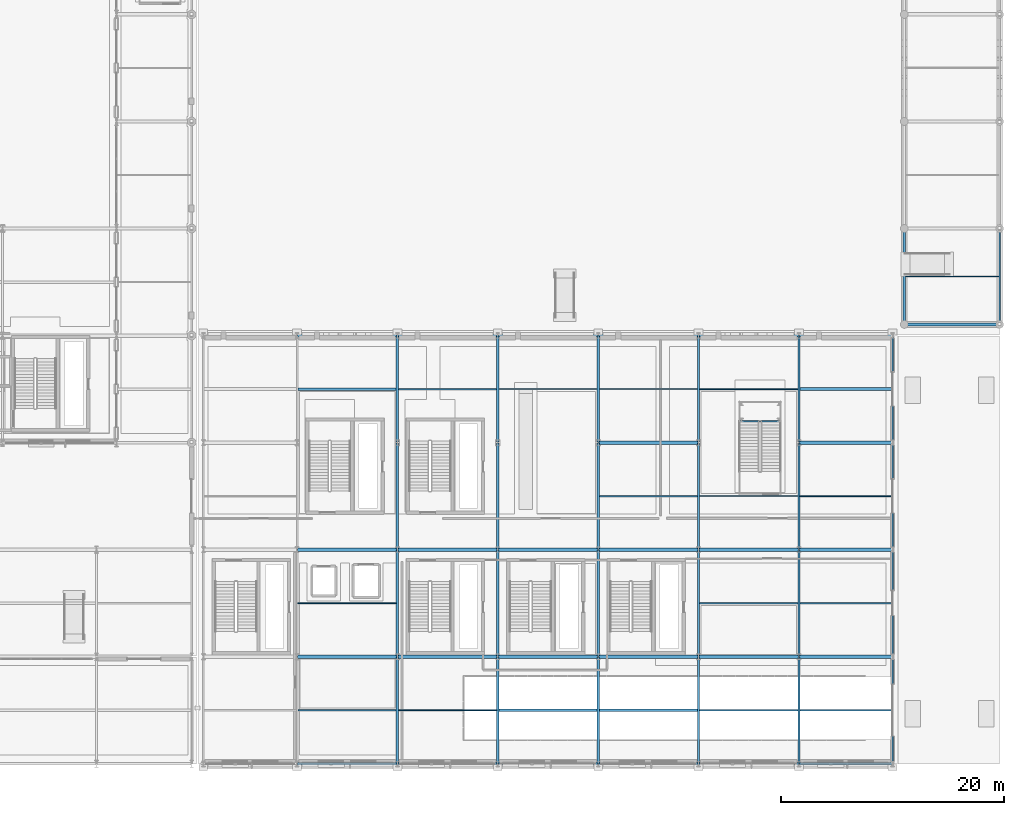
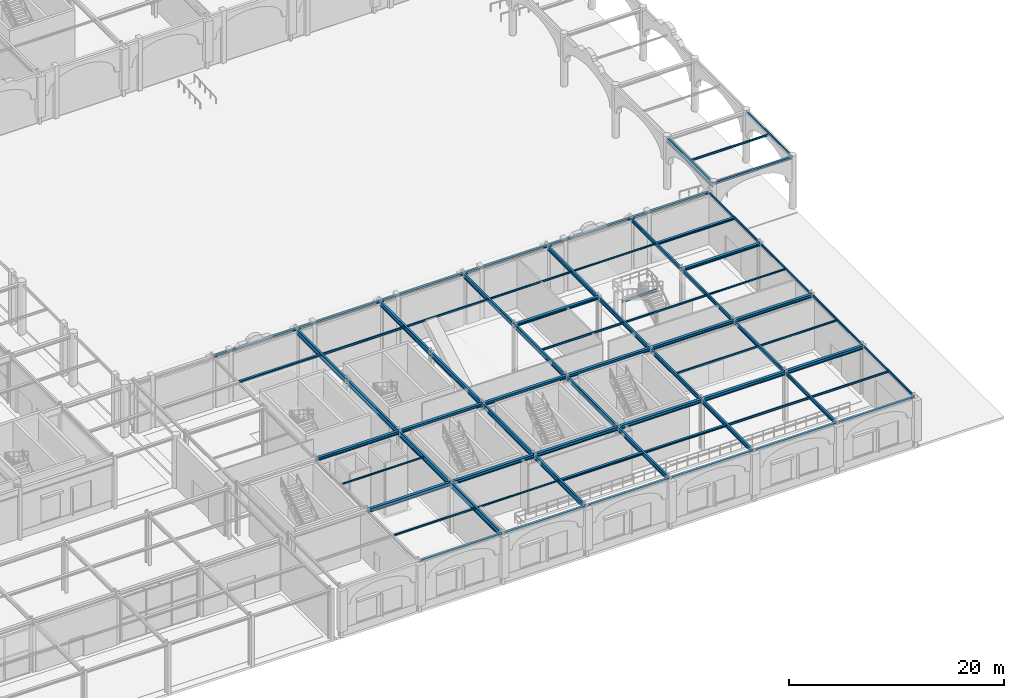
# One storey, part 45 of 113: 73 beams.
"""IFC4 building model written with IfcOpenShell, lengths in metres."""

from ifc_helpers import new_model, si_unit, direction, frame, origin, origin_2d, place, context, subcontext, project, spatial, hollow_rectangle, i_section, extrude, material, material_profile, profile_set, type_object, element, save


model = new_model("IFC4")

# Units and contexts
model_context = context("Model", 3, precision=1e-05, world=origin(), true_north=direction((0.0, 1.0)))
body_context = subcontext(model_context, "Body", "Model", "MODEL_VIEW")
ifc_project = project(units=[si_unit("LENGTHUNIT", "METRE"), si_unit("AREAUNIT", "SQUARE_METRE"), si_unit("VOLUMEUNIT", "CUBIC_METRE"), si_unit("PLANEANGLEUNIT", "RADIAN"), si_unit("MASSUNIT", "GRAM", prefix="KILO")], contexts=[model_context])

# Site, building, storey
site_placement = place(None, origin())
site = spatial("IfcSite", under=ifc_project, at=site_placement, CompositionType="ELEMENT")
building_placement = place(site_placement, origin())
building = spatial("IfcBuilding", under=site, at=building_placement, Name="Myrtia Square Station", CompositionType="ELEMENT")
storey_placement = place(building_placement, origin())
storey = spatial("IfcBuildingStorey", under=building, at=storey_placement, Name="L00", CompositionType="ELEMENT", Elevation=0.0)

# Beams
ifc_material = material(Name="Steel S355", Category="steel")
ifc_material_profile_1 = material_profile(ifc_material, i_section(OverallWidth=0.300048828125, OverallDepth=0.300048828125, WebThickness=0.010986328125, FlangeThickness=0.01904296875, FilletRadius=0.027099609375, at=origin_2d()), Name="HEB 300")
ifc_profile_set_1 = profile_set([ifc_material_profile_1], Name="Steel S355")
beam_type_1 = type_object("IfcBeamType", Name="BM-HEB300", PredefinedType="BEAM", material=ifc_profile_set_1)
beam_1_placement = place(storey_placement, frame((153.050048828125, 28.800048828125, 5.60009765625), z_axis=(1.0, 0.0, 0.0), x_axis=(0.0, 1.0, 0.0)))
element("IfcBeam", 1, at=beam_1_placement, inside=storey, type_object=beam_type_1, Name="Structural girder BMX-L00-0352", PredefinedType="BEAM", context=body_context, shape_type="SweptSolid", body=[
    extrude(i_section(OverallWidth=0.300048828125, OverallDepth=0.300048828125, WebThickness=0.010986328125, FlangeThickness=0.01904296875, FilletRadius=0.027099609375, at=origin_2d()), origin(), (0.0, 0.0, 1.0), 8.89990234375),
])
beam_2_placement = place(storey_placement, frame((171.050048828125, 28.800048828125, 5.60009765625), z_axis=(1.0, 0.0, 0.0), x_axis=(0.0, 1.0, 0.0)))
element("IfcBeam", 2, at=beam_2_placement, inside=storey, type_object=beam_type_1, Name="Structural girder BMX-L00-0353", PredefinedType="BEAM", context=body_context, shape_type="SweptSolid", body=[
    extrude(i_section(OverallWidth=0.300048828125, OverallDepth=0.300048828125, WebThickness=0.010986328125, FlangeThickness=0.01904296875, FilletRadius=0.027099609375, at=origin_2d()), origin(), (0.0, 0.0, 1.0), 8.300048828125),
])
ifc_material_profile_2 = material_profile(ifc_material, i_section(OverallWidth=0.300048828125, OverallDepth=0.360107421875, WebThickness=0.012451171875, FlangeThickness=0.0224609375, FilletRadius=0.027099609375, at=origin_2d()), Name="HEB 360")
ifc_profile_set_2 = profile_set([ifc_material_profile_2], Name="Steel S355")
beam_type_2 = type_object("IfcBeamType", Name="BM-HEB360", PredefinedType="BEAM", material=ifc_profile_set_2)
for number, where, z_axis, x_axis, name in (
    (3, (126.050048828125, 19.199951171875, 5.570068359375), (1.0, 0.0, 0.0), (0.0, 1.0, 0.0), "Structural girder BMX-L00-0345"),
    (4, (135.050048828125, 19.199951171875, 5.570068359375), (1.0, 0.0, 0.0), (0.0, 1.0, 0.0), "Structural girder BMX-L00-0346"),
    (5, (144.050048828125, 19.199951171875, 5.570068359375), (1.0, 0.0, 0.0), (0.0, 1.0, 0.0), "Structural girder BMX-L00-0347"),
    (6, (153.050048828125, 19.199951171875, 5.570068359375), (1.0, 0.0, 0.0), (0.0, 1.0, 0.0), "Structural girder BMX-L00-0348"),
    (7, (162.050048828125, 19.199951171875, 5.570068359375), (1.0, 0.0, 0.0), (0.0, 1.0, 0.0), "Structural girder BMX-L00-0349"),
):
    element("IfcBeam", number, at=place(storey_placement, frame(where, z_axis=z_axis, x_axis=x_axis)), inside=storey, type_object=beam_type_2, Name=name, PredefinedType="BEAM", context=body_context, shape_type="SweptSolid", body=[
        extrude(i_section(OverallWidth=0.300048828125, OverallDepth=0.360107421875, WebThickness=0.012451171875, FlangeThickness=0.0224609375, FilletRadius=0.027099609375, at=origin_2d()), origin(), (0.0, 0.0, 1.0), 8.89990234375),
    ])
beam_3_placement = place(storey_placement, frame((171.050048828125, 19.199951171875, 5.570068359375), z_axis=(1.0, 0.0, 0.0), x_axis=(0.0, 1.0, 0.0)))
element("IfcBeam", 8, at=beam_3_placement, inside=storey, type_object=beam_type_2, Name="Structural girder BMX-L00-0350", PredefinedType="BEAM", context=body_context, shape_type="SweptSolid", body=[
    extrude(i_section(OverallWidth=0.300048828125, OverallDepth=0.360107421875, WebThickness=0.012451171875, FlangeThickness=0.0224609375, FilletRadius=0.027099609375, at=origin_2d()), origin(), (0.0, 0.0, 1.0), 8.300048828125),
])
ifc_material_profile_3 = material_profile(ifc_material, i_section(OverallWidth=0.300048828125, OverallDepth=0.39990234375, WebThickness=0.013427734375, FlangeThickness=0.02392578125, FilletRadius=0.027099609375, at=origin_2d()), Name="HEB 400")
ifc_profile_set_3 = profile_set([ifc_material_profile_3], Name="Steel S355")
beam_type_3 = type_object("IfcBeamType", Name="BM-HEB400", PredefinedType="BEAM", material=ifc_profile_set_3)
for number, where, z_axis, x_axis, name in (
    (9, (126.050048828125, 9.60009765625, 5.550048828125), (1.0, 0.0, 0.0), (0.0, 1.0, 0.0), "Structural girder BMX-L00-0333"),
    (10, (135.050048828125, 9.60009765625, 5.550048828125), (1.0, 0.0, 0.0), (0.0, 1.0, 0.0), "Structural girder BMX-L00-0334"),
    (11, (144.050048828125, 9.60009765625, 5.550048828125), (1.0, 0.0, 0.0), (0.0, 1.0, 0.0), "Structural girder BMX-L00-0335"),
    (12, (153.050048828125, 9.60009765625, 5.550048828125), (1.0, 0.0, 0.0), (0.0, 1.0, 0.0), "Structural girder BMX-L00-0336"),
    (13, (162.050048828125, 9.60009765625, 5.550048828125), (1.0, 0.0, 0.0), (0.0, 1.0, 0.0), "Structural girder BMX-L00-0337"),
):
    element("IfcBeam", number, at=place(storey_placement, frame(where, z_axis=z_axis, x_axis=x_axis)), inside=storey, type_object=beam_type_3, Name=name, PredefinedType="BEAM", context=body_context, shape_type="SweptSolid", body=[
        extrude(i_section(OverallWidth=0.300048828125, OverallDepth=0.39990234375, WebThickness=0.013427734375, FlangeThickness=0.02392578125, FilletRadius=0.027099609375, at=origin_2d()), origin(), (0.0, 0.0, 1.0), 8.89990234375),
    ])
beam_4_placement = place(storey_placement, frame((171.050048828125, 9.60009765625, 5.550048828125), z_axis=(1.0, 0.0, 0.0), x_axis=(0.0, 1.0, 0.0)))
element("IfcBeam", 14, at=beam_4_placement, inside=storey, type_object=beam_type_3, Name="Structural girder BMX-L00-0338", PredefinedType="BEAM", context=body_context, shape_type="SweptSolid", body=[
    extrude(i_section(OverallWidth=0.300048828125, OverallDepth=0.39990234375, WebThickness=0.013427734375, FlangeThickness=0.02392578125, FilletRadius=0.027099609375, at=origin_2d()), origin(), (0.0, 0.0, 1.0), 8.300048828125),
])
ifc_material_profile_4 = material_profile(ifc_material, i_section(OverallWidth=0.135009765625, OverallDepth=0.27001953125, WebThickness=0.006591796875, FlangeThickness=0.01025390625, FilletRadius=0.014892578125, at=origin_2d()), Name="IPE 270")
ifc_profile_set_4 = profile_set([ifc_material_profile_4], Name="Steel S355")
beam_type_4 = type_object("IfcBeamType", Name="BM-IPE270", PredefinedType="BEAM", material=ifc_profile_set_4)
beam_5_placement = place(storey_placement, frame((165.639892578125, 30.739990234375, 2.6650390625), z_axis=(1.0, 0.0, 0.0), x_axis=(0.0, 1.0, 0.0)))
element("IfcBeam", 15, at=beam_5_placement, inside=storey, type_object=beam_type_4, Name="Interchange stair landing bearer 7", PredefinedType="BEAM", context=body_context, shape_type="SweptSolid", body=[
    extrude(i_section(OverallWidth=0.135009765625, OverallDepth=0.27001953125, WebThickness=0.006591796875, FlangeThickness=0.01025390625, FilletRadius=0.014892578125, at=origin_2d()), origin(), (0.0, 0.0, 1.0), 3.760009765625),
])
ifc_material_profile_5 = material_profile(ifc_material, i_section(OverallWidth=0.179931640625, OverallDepth=0.39990234375, WebThickness=0.008544921875, FlangeThickness=0.013427734375, FilletRadius=0.02099609375, at=origin_2d()), Name="IPE 400")
ifc_profile_set_5 = profile_set([ifc_material_profile_5], Name="Steel S355")
beam_type_5 = type_object("IfcBeamType", Name="BM-IPE400", PredefinedType="BEAM", material=ifc_profile_set_5)
for number, where, z_axis, x_axis, name in (
    (16, (171.0, 0.050048828125, 5.550048828125), (0.0, 1.0, 0.0), (-1.0, 0.0, 0.0), "Structural girder BMY-L00-0390"),
    (17, (171.0, 9.64990234375, 5.550048828125), (0.0, 1.0, 0.0), (-1.0, 0.0, 0.0), "Structural girder BMY-L00-0391"),
    (18, (171.0, 19.25, 5.550048828125), (0.0, 1.0, 0.0), (-1.0, 0.0, 0.0), "Structural girder BMY-L00-0392"),
    (19, (171.0, 28.85009765625, 5.550048828125), (0.0, 1.0, 0.0), (-1.0, 0.0, 0.0), "Structural girder BMY-L00-0393"),
):
    element("IfcBeam", number, at=place(storey_placement, frame(where, z_axis=z_axis, x_axis=x_axis)), inside=storey, type_object=beam_type_5, Name=name, PredefinedType="BEAM", context=body_context, shape_type="SweptSolid", body=[
        extrude(i_section(OverallWidth=0.179931640625, OverallDepth=0.39990234375, WebThickness=0.008544921875, FlangeThickness=0.013427734375, FilletRadius=0.02099609375, at=origin_2d()), origin(), (0.0, 0.0, 1.0), 9.5),
    ])
ifc_material_profile_6 = material_profile(ifc_material, i_section(OverallWidth=0.18994140625, OverallDepth=0.449951171875, WebThickness=0.009521484375, FlangeThickness=0.0146484375, FilletRadius=0.02099609375, at=origin_2d()), Name="IPE 450")
ifc_profile_set_6 = profile_set([ifc_material_profile_6], Name="Steel S355")
beam_type_6 = type_object("IfcBeamType", Name="BM-IPE450", PredefinedType="BEAM", material=ifc_profile_set_6)
for number, where, z_axis, x_axis, name in (
    (20, (162.0, 0.050048828125, 5.52490234375), (0.0, 1.0, 0.0), (-1.0, 0.0, 0.0), "Structural girder BMY-L00-0386"),
    (21, (162.0, 9.64990234375, 5.52490234375), (0.0, 1.0, 0.0), (-1.0, 0.0, 0.0), "Structural girder BMY-L00-0387"),
    (22, (162.0, 19.25, 5.52490234375), (0.0, 1.0, 0.0), (-1.0, 0.0, 0.0), "Structural girder BMY-L00-0388"),
    (23, (162.0, 28.85009765625, 5.52490234375), (0.0, 1.0, 0.0), (-1.0, 0.0, 0.0), "Structural girder BMY-L00-0389"),
):
    element("IfcBeam", number, at=place(storey_placement, frame(where, z_axis=z_axis, x_axis=x_axis)), inside=storey, type_object=beam_type_6, Name=name, PredefinedType="BEAM", context=body_context, shape_type="SweptSolid", body=[
        extrude(i_section(OverallWidth=0.18994140625, OverallDepth=0.449951171875, WebThickness=0.009521484375, FlangeThickness=0.0146484375, FilletRadius=0.02099609375, at=origin_2d()), origin(), (0.0, 0.0, 1.0), 9.5),
    ])
ifc_material_profile_7 = material_profile(ifc_material, i_section(OverallWidth=0.199951171875, OverallDepth=0.5, WebThickness=0.01025390625, FlangeThickness=0.01611328125, FilletRadius=0.02099609375, at=origin_2d()), Name="IPE 500")
ifc_profile_set_7 = profile_set([ifc_material_profile_7], Name="Steel S355")
beam_type_7 = type_object("IfcBeamType", Name="BM-IPE500", PredefinedType="BEAM", material=ifc_profile_set_7)
for number, where, z_axis, x_axis, name in (
    (24, (153.0, 0.050048828125, 5.5), (0.0, 1.0, 0.0), (-1.0, 0.0, 0.0), "Structural girder BMY-L00-0382"),
    (25, (153.0, 9.64990234375, 5.5), (0.0, 1.0, 0.0), (-1.0, 0.0, 0.0), "Structural girder BMY-L00-0383"),
    (26, (153.0, 19.25, 5.5), (0.0, 1.0, 0.0), (-1.0, 0.0, 0.0), "Structural girder BMY-L00-0384"),
    (27, (153.0, 28.85009765625, 5.5), (0.0, 1.0, 0.0), (-1.0, 0.0, 0.0), "Structural girder BMY-L00-0385"),
):
    element("IfcBeam", number, at=place(storey_placement, frame(where, z_axis=z_axis, x_axis=x_axis)), inside=storey, type_object=beam_type_7, Name=name, PredefinedType="BEAM", context=body_context, shape_type="SweptSolid", body=[
        extrude(i_section(OverallWidth=0.199951171875, OverallDepth=0.5, WebThickness=0.01025390625, FlangeThickness=0.01611328125, FilletRadius=0.02099609375, at=origin_2d()), origin(), (0.0, 0.0, 1.0), 9.5),
    ])
ifc_material_profile_8 = material_profile(ifc_material, i_section(OverallWidth=0.2099609375, OverallDepth=0.550048828125, WebThickness=0.010986328125, FlangeThickness=0.01708984375, FilletRadius=0.02392578125, at=origin_2d()), Name="IPE 550")
ifc_profile_set_8 = profile_set([ifc_material_profile_8], Name="Steel S355")
beam_type_8 = type_object("IfcBeamType", Name="BM-IPE550", PredefinedType="BEAM", material=ifc_profile_set_8)
beam_6_placement = place(storey_placement, frame((180.449951171875, 39.449951171875, 5.489990234375), z_axis=(0.0, 1.0, 0.0), x_axis=(-1.0, 0.0, 0.0)))
element("IfcBeam", 28, at=beam_6_placement, inside=storey, type_object=beam_type_8, Name="Structural girder BMY-L00-0322", PredefinedType="BEAM", context=body_context, shape_type="SweptSolid", body=[
    extrude(i_section(OverallWidth=0.2099609375, OverallDepth=0.550048828125, WebThickness=0.010986328125, FlangeThickness=0.01708984375, FilletRadius=0.02392578125, at=origin_2d()), origin(), (0.0, 0.0, 1.0), 8.5),
])
for number, where, z_axis, x_axis, name in (
    (29, (144.0, 0.050048828125, 5.47509765625), (0.0, 1.0, 0.0), (-1.0, 0.0, 0.0), "Structural girder BMY-L00-0378"),
    (30, (144.0, 9.64990234375, 5.47509765625), (0.0, 1.0, 0.0), (-1.0, 0.0, 0.0), "Structural girder BMY-L00-0379"),
    (31, (144.0, 19.25, 5.47509765625), (0.0, 1.0, 0.0), (-1.0, 0.0, 0.0), "Structural girder BMY-L00-0380"),
    (32, (144.0, 28.85009765625, 5.47509765625), (0.0, 1.0, 0.0), (-1.0, 0.0, 0.0), "Structural girder BMY-L00-0381"),
):
    element("IfcBeam", number, at=place(storey_placement, frame(where, z_axis=z_axis, x_axis=x_axis)), inside=storey, type_object=beam_type_8, Name=name, PredefinedType="BEAM", context=body_context, shape_type="SweptSolid", body=[
        extrude(i_section(OverallWidth=0.2099609375, OverallDepth=0.550048828125, WebThickness=0.010986328125, FlangeThickness=0.01708984375, FilletRadius=0.02392578125, at=origin_2d()), origin(), (0.0, 0.0, 1.0), 9.5),
    ])
ifc_material_profile_9 = material_profile(ifc_material, i_section(OverallWidth=0.219970703125, OverallDepth=0.60009765625, WebThickness=0.011962890625, FlangeThickness=0.01904296875, FilletRadius=0.02392578125, at=origin_2d()), Name="IPE 600")
ifc_profile_set_9 = profile_set([ifc_material_profile_9], Name="Steel S355")
beam_type_9 = type_object("IfcBeamType", Name="BM-IPE600", PredefinedType="BEAM", material=ifc_profile_set_9)
for number, where, z_axis, x_axis, name in (
    (33, (135.0, 0.050048828125, 5.449951171875), (0.0, 1.0, 0.0), (-1.0, 0.0, 0.0), "Structural girder BMY-L00-0374"),
    (34, (135.0, 9.64990234375, 5.449951171875), (0.0, 1.0, 0.0), (-1.0, 0.0, 0.0), "Structural girder BMY-L00-0375"),
    (35, (135.0, 19.25, 5.449951171875), (0.0, 1.0, 0.0), (-1.0, 0.0, 0.0), "Structural girder BMY-L00-0376"),
    (36, (135.0, 28.85009765625, 5.449951171875), (0.0, 1.0, 0.0), (-1.0, 0.0, 0.0), "Structural girder BMY-L00-0377"),
):
    element("IfcBeam", number, at=place(storey_placement, frame(where, z_axis=z_axis, x_axis=x_axis)), inside=storey, type_object=beam_type_9, Name=name, PredefinedType="BEAM", context=body_context, shape_type="SweptSolid", body=[
        extrude(i_section(OverallWidth=0.219970703125, OverallDepth=0.60009765625, WebThickness=0.011962890625, FlangeThickness=0.01904296875, FilletRadius=0.02392578125, at=origin_2d()), origin(), (0.0, 0.0, 1.0), 9.5),
    ])
ifc_material_profile_10 = material_profile(ifc_material, i_section(OverallWidth=0.219970703125, OverallDepth=0.2099609375, WebThickness=0.007080078125, FlangeThickness=0.010986328125, FilletRadius=0.01806640625, at=origin_2d()), Name="HEA 220")
ifc_profile_set_10 = profile_set([ifc_material_profile_10], Name="Steel S355")
beam_type_10 = type_object("IfcBeamType", Name="JST-HEA220", PredefinedType="JOIST", material=ifc_profile_set_10)
beam_7_placement = place(storey_placement, frame((126.0673828125, 33.60009765625, 5.64501953125), z_axis=(1.0, 0.0, 0.0), x_axis=(0.0, 1.0, 0.0)))
element("IfcBeam", 37, at=beam_7_placement, inside=storey, type_object=beam_type_10, Name="Composite floor joist L00-0048", PredefinedType="JOIST", context=body_context, shape_type="SweptSolid", body=[
    extrude(i_section(OverallWidth=0.219970703125, OverallDepth=0.2099609375, WebThickness=0.007080078125, FlangeThickness=0.010986328125, FilletRadius=0.01806640625, at=origin_2d()), origin(), (0.0, 0.0, 1.0), 8.822509765625),
])
beam_8_placement = place(storey_placement, frame((153.10009765625, 4.800048828125, 5.64501953125), z_axis=(1.0, 0.0, 0.0), x_axis=(0.0, 1.0, 0.0)))
element("IfcBeam", 38, at=beam_8_placement, inside=storey, type_object=beam_type_10, Name="Composite floor joist L00-0053", PredefinedType="JOIST", context=body_context, shape_type="SweptSolid", body=[
    extrude(i_section(OverallWidth=0.219970703125, OverallDepth=0.2099609375, WebThickness=0.007080078125, FlangeThickness=0.010986328125, FilletRadius=0.01806640625, at=origin_2d()), origin(), (0.0, 0.0, 1.0), 8.804931640625),
])
ifc_material_profile_11 = material_profile(ifc_material, i_section(OverallWidth=0.260009765625, OverallDepth=0.25, WebThickness=0.007568359375, FlangeThickness=0.012451171875, FilletRadius=0.02392578125, at=origin_2d()), Name="HEA 260")
ifc_profile_set_11 = profile_set([ifc_material_profile_11], Name="Steel S355")
beam_type_11 = type_object("IfcBeamType", Name="JST-HEA260", PredefinedType="JOIST", material=ifc_profile_set_11)
beam_9_placement = place(storey_placement, frame((144.10498046875, 4.800048828125, 5.625), z_axis=(1.0, 0.0, 0.0), x_axis=(0.0, 1.0, 0.0)))
element("IfcBeam", 39, at=beam_9_placement, inside=storey, type_object=beam_type_11, Name="Composite floor joist L00-0051", PredefinedType="JOIST", context=body_context, shape_type="SweptSolid", body=[
    extrude(i_section(OverallWidth=0.260009765625, OverallDepth=0.25, WebThickness=0.007568359375, FlangeThickness=0.012451171875, FilletRadius=0.02392578125, at=origin_2d()), origin(), (0.0, 0.0, 1.0), 8.794921875),
])
beam_10_placement = place(storey_placement, frame((171.090087890625, 33.60009765625, 5.625), z_axis=(1.0, 0.0, 0.0), x_axis=(0.0, 1.0, 0.0)))
element("IfcBeam", 40, at=beam_10_placement, inside=storey, type_object=beam_type_11, Name="Composite floor joist L00-0063", PredefinedType="JOIST", context=body_context, shape_type="SweptSolid", body=[
    extrude(i_section(OverallWidth=0.260009765625, OverallDepth=0.25, WebThickness=0.007568359375, FlangeThickness=0.012451171875, FilletRadius=0.02392578125, at=origin_2d()), origin(), (0.0, 0.0, 1.0), 8.23486328125),
])
ifc_material_profile_12 = material_profile(ifc_material, i_section(OverallWidth=0.091064453125, OverallDepth=0.179931640625, WebThickness=0.00537109375, FlangeThickness=0.008056640625, FilletRadius=0.009033203125, at=origin_2d()), Name="IPE 180")
ifc_profile_set_12 = profile_set([ifc_material_profile_12], Name="Steel S355")
beam_type_12 = type_object("IfcBeamType", Name="JST-IPE180", PredefinedType="JOIST", material=ifc_profile_set_12)
beam_11_placement = place(storey_placement, frame((126.0673828125, 14.39990234375, 5.659912109375), z_axis=(1.0, 0.0, 0.0), x_axis=(0.0, 1.0, 0.0)))
element("IfcBeam", 41, at=beam_11_placement, inside=storey, type_object=beam_type_12, Name="Composite floor joist L00-0047", PredefinedType="JOIST", context=body_context, shape_type="SweptSolid", body=[
    extrude(i_section(OverallWidth=0.091064453125, OverallDepth=0.179931640625, WebThickness=0.00537109375, FlangeThickness=0.008056640625, FilletRadius=0.009033203125, at=origin_2d()), origin(), (0.0, 0.0, 1.0), 8.822509765625),
])
beam_12_placement = place(storey_placement, frame((135.110107421875, 4.800048828125, 5.659912109375), z_axis=(1.0, 0.0, 0.0), x_axis=(0.0, 1.0, 0.0)))
element("IfcBeam", 42, at=beam_12_placement, inside=storey, type_object=beam_type_12, Name="Composite floor joist L00-0049", PredefinedType="JOIST", context=body_context, shape_type="SweptSolid", body=[
    extrude(i_section(OverallWidth=0.091064453125, OverallDepth=0.179931640625, WebThickness=0.00537109375, FlangeThickness=0.008056640625, FilletRadius=0.009033203125, at=origin_2d()), origin(), (0.0, 0.0, 1.0), 8.784912109375),
])
beam_13_placement = place(storey_placement, frame((162.094970703125, 33.60009765625, 5.659912109375), z_axis=(1.0, 0.0, 0.0), x_axis=(0.0, 1.0, 0.0)))
element("IfcBeam", 43, at=beam_13_placement, inside=storey, type_object=beam_type_12, Name="Composite floor joist L00-0059", PredefinedType="JOIST", context=body_context, shape_type="SweptSolid", body=[
    extrude(i_section(OverallWidth=0.091064453125, OverallDepth=0.179931640625, WebThickness=0.00537109375, FlangeThickness=0.008056640625, FilletRadius=0.009033203125, at=origin_2d()), origin(), (0.0, 0.0, 1.0), 8.81494140625),
])
beam_14_placement = place(storey_placement, frame((171.090087890625, 24.0, 5.659912109375), z_axis=(1.0, 0.0, 0.0), x_axis=(0.0, 1.0, 0.0)))
element("IfcBeam", 44, at=beam_14_placement, inside=storey, type_object=beam_type_12, Name="Composite floor joist L00-0062", PredefinedType="JOIST", context=body_context, shape_type="SweptSolid", body=[
    extrude(i_section(OverallWidth=0.091064453125, OverallDepth=0.179931640625, WebThickness=0.00537109375, FlangeThickness=0.008056640625, FilletRadius=0.009033203125, at=origin_2d()), origin(), (0.0, 0.0, 1.0), 8.23486328125),
])
ifc_material_profile_13 = material_profile(ifc_material, i_section(OverallWidth=0.10009765625, OverallDepth=0.199951171875, WebThickness=0.005615234375, FlangeThickness=0.008544921875, FilletRadius=0.011962890625, at=origin_2d()), Name="IPE 200")
ifc_profile_set_13 = profile_set([ifc_material_profile_13], Name="Steel S355")
beam_type_13 = type_object("IfcBeamType", Name="JST-IPE200", PredefinedType="JOIST", material=ifc_profile_set_13)
beam_15_placement = place(storey_placement, frame((126.0673828125, 4.800048828125, 5.64990234375), z_axis=(1.0, 0.0, 0.0), x_axis=(0.0, 1.0, 0.0)))
element("IfcBeam", 45, at=beam_15_placement, inside=storey, type_object=beam_type_13, Name="Composite floor joist L00-0046", PredefinedType="JOIST", context=body_context, shape_type="SweptSolid", body=[
    extrude(i_section(OverallWidth=0.10009765625, OverallDepth=0.199951171875, WebThickness=0.005615234375, FlangeThickness=0.008544921875, FilletRadius=0.011962890625, at=origin_2d()), origin(), (0.0, 0.0, 1.0), 8.822509765625),
])
beam_16_placement = place(storey_placement, frame((153.10009765625, 33.60009765625, 5.64990234375), z_axis=(1.0, 0.0, 0.0), x_axis=(0.0, 1.0, 0.0)))
element("IfcBeam", 46, at=beam_16_placement, inside=storey, type_object=beam_type_13, Name="Composite floor joist L00-0055", PredefinedType="JOIST", context=body_context, shape_type="SweptSolid", body=[
    extrude(i_section(OverallWidth=0.10009765625, OverallDepth=0.199951171875, WebThickness=0.005615234375, FlangeThickness=0.008544921875, FilletRadius=0.011962890625, at=origin_2d()), origin(), (0.0, 0.0, 1.0), 8.804931640625),
])
beam_17_placement = place(storey_placement, frame((162.094970703125, 24.0, 5.64990234375), z_axis=(1.0, 0.0, 0.0), x_axis=(0.0, 1.0, 0.0)))
element("IfcBeam", 47, at=beam_17_placement, inside=storey, type_object=beam_type_13, Name="Composite floor joist L00-0058", PredefinedType="JOIST", context=body_context, shape_type="SweptSolid", body=[
    extrude(i_section(OverallWidth=0.10009765625, OverallDepth=0.199951171875, WebThickness=0.005615234375, FlangeThickness=0.008544921875, FilletRadius=0.011962890625, at=origin_2d()), origin(), (0.0, 0.0, 1.0), 8.81494140625),
])
beam_18_placement = place(storey_placement, frame((171.090087890625, 14.39990234375, 5.64990234375), z_axis=(1.0, 0.0, 0.0), x_axis=(0.0, 1.0, 0.0)))
element("IfcBeam", 48, at=beam_18_placement, inside=storey, type_object=beam_type_13, Name="Composite floor joist L00-0061", PredefinedType="JOIST", context=body_context, shape_type="SweptSolid", body=[
    extrude(i_section(OverallWidth=0.10009765625, OverallDepth=0.199951171875, WebThickness=0.005615234375, FlangeThickness=0.008544921875, FilletRadius=0.011962890625, at=origin_2d()), origin(), (0.0, 0.0, 1.0), 8.23486328125),
])
ifc_material_profile_14 = material_profile(ifc_material, i_section(OverallWidth=0.110107421875, OverallDepth=0.219970703125, WebThickness=0.005859375, FlangeThickness=0.00927734375, FilletRadius=0.011962890625, at=origin_2d()), Name="IPE 220")
ifc_profile_set_14 = profile_set([ifc_material_profile_14], Name="Steel S355")
beam_type_14 = type_object("IfcBeamType", Name="JST-IPE220", PredefinedType="JOIST", material=ifc_profile_set_14)
beam_19_placement = place(storey_placement, frame((180.554931640625, 43.699951171875, 5.655029296875), z_axis=(1.0, 0.0, 0.0), x_axis=(0.0, 1.0, 0.0)))
element("IfcBeam", 49, at=beam_19_placement, inside=storey, type_object=beam_type_14, Name="Composite floor joist L00-0028", PredefinedType="JOIST", context=body_context, shape_type="SweptSolid", body=[
    extrude(i_section(OverallWidth=0.110107421875, OverallDepth=0.219970703125, WebThickness=0.005859375, FlangeThickness=0.00927734375, FilletRadius=0.011962890625, at=origin_2d()), origin(), (0.0, 0.0, 1.0), 8.3701171875),
])
beam_20_placement = place(storey_placement, frame((144.10498046875, 33.60009765625, 5.639892578125), z_axis=(1.0, 0.0, 0.0), x_axis=(0.0, 1.0, 0.0)))
element("IfcBeam", 50, at=beam_20_placement, inside=storey, type_object=beam_type_14, Name="Composite floor joist L00-0052", PredefinedType="JOIST", context=body_context, shape_type="SweptSolid", body=[
    extrude(i_section(OverallWidth=0.110107421875, OverallDepth=0.219970703125, WebThickness=0.005859375, FlangeThickness=0.00927734375, FilletRadius=0.011962890625, at=origin_2d()), origin(), (0.0, 0.0, 1.0), 8.794921875),
])
beam_21_placement = place(storey_placement, frame((153.10009765625, 24.0, 5.639892578125), z_axis=(1.0, 0.0, 0.0), x_axis=(0.0, 1.0, 0.0)))
element("IfcBeam", 51, at=beam_21_placement, inside=storey, type_object=beam_type_14, Name="Composite floor joist L00-0054", PredefinedType="JOIST", context=body_context, shape_type="SweptSolid", body=[
    extrude(i_section(OverallWidth=0.110107421875, OverallDepth=0.219970703125, WebThickness=0.005859375, FlangeThickness=0.00927734375, FilletRadius=0.011962890625, at=origin_2d()), origin(), (0.0, 0.0, 1.0), 8.804931640625),
])
beam_22_placement = place(storey_placement, frame((162.094970703125, 14.39990234375, 5.639892578125), z_axis=(1.0, 0.0, 0.0), x_axis=(0.0, 1.0, 0.0)))
element("IfcBeam", 52, at=beam_22_placement, inside=storey, type_object=beam_type_14, Name="Composite floor joist L00-0057", PredefinedType="JOIST", context=body_context, shape_type="SweptSolid", body=[
    extrude(i_section(OverallWidth=0.110107421875, OverallDepth=0.219970703125, WebThickness=0.005859375, FlangeThickness=0.00927734375, FilletRadius=0.011962890625, at=origin_2d()), origin(), (0.0, 0.0, 1.0), 8.81494140625),
])
beam_23_placement = place(storey_placement, frame((171.090087890625, 4.800048828125, 5.639892578125), z_axis=(1.0, 0.0, 0.0), x_axis=(0.0, 1.0, 0.0)))
element("IfcBeam", 53, at=beam_23_placement, inside=storey, type_object=beam_type_14, Name="Composite floor joist L00-0060", PredefinedType="JOIST", context=body_context, shape_type="SweptSolid", body=[
    extrude(i_section(OverallWidth=0.110107421875, OverallDepth=0.219970703125, WebThickness=0.005859375, FlangeThickness=0.00927734375, FilletRadius=0.011962890625, at=origin_2d()), origin(), (0.0, 0.0, 1.0), 8.23486328125),
])
ifc_material_profile_15 = material_profile(ifc_material, i_section(OverallWidth=0.1201171875, OverallDepth=0.239990234375, WebThickness=0.006103515625, FlangeThickness=0.009765625, FilletRadius=0.014892578125, at=origin_2d()), Name="IPE 240")
ifc_profile_set_15 = profile_set([ifc_material_profile_15], Name="Steel S355")
beam_type_15 = type_object("IfcBeamType", Name="JST-IPE240", PredefinedType="JOIST", material=ifc_profile_set_15)
beam_24_placement = place(storey_placement, frame((135.110107421875, 33.60009765625, 5.6298828125), z_axis=(1.0, 0.0, 0.0), x_axis=(0.0, 1.0, 0.0)))
element("IfcBeam", 54, at=beam_24_placement, inside=storey, type_object=beam_type_15, Name="Composite floor joist L00-0050", PredefinedType="JOIST", context=body_context, shape_type="SweptSolid", body=[
    extrude(i_section(OverallWidth=0.1201171875, OverallDepth=0.239990234375, WebThickness=0.006103515625, FlangeThickness=0.009765625, FilletRadius=0.014892578125, at=origin_2d()), origin(), (0.0, 0.0, 1.0), 8.784912109375),
])
beam_25_placement = place(storey_placement, frame((162.094970703125, 4.800048828125, 5.6298828125), z_axis=(1.0, 0.0, 0.0), x_axis=(0.0, 1.0, 0.0)))
element("IfcBeam", 55, at=beam_25_placement, inside=storey, type_object=beam_type_15, Name="Composite floor joist L00-0056", PredefinedType="JOIST", context=body_context, shape_type="SweptSolid", body=[
    extrude(i_section(OverallWidth=0.1201171875, OverallDepth=0.239990234375, WebThickness=0.006103515625, FlangeThickness=0.009765625, FilletRadius=0.014892578125, at=origin_2d()), origin(), (0.0, 0.0, 1.0), 8.81494140625),
])
ifc_material_profile_16 = material_profile(ifc_material, i_section(OverallWidth=0.239990234375, OverallDepth=0.239990234375, WebThickness=0.010009765625, FlangeThickness=0.01708984375, FilletRadius=0.02099609375, at=origin_2d()), Name="HEB 240")
ifc_profile_set_16 = profile_set([ifc_material_profile_16], Name="Steel S355")
beam_type_16 = type_object("IfcBeamType", Name="SPN-HEB240", PredefinedType="SPANDREL", material=ifc_profile_set_16)
beam_26_placement = place(storey_placement, frame((180.5, 39.39990234375, 5.64501953125), z_axis=(1.0, 0.0, 0.0), x_axis=(0.0, 1.0, 0.0)))
element("IfcBeam", 56, at=beam_26_placement, inside=storey, type_object=beam_type_16, Name="Structural girder SPN-L00-0087", PredefinedType="SPANDREL", context=body_context, shape_type="SweptSolid", body=[
    extrude(i_section(OverallWidth=0.239990234375, OverallDepth=0.239990234375, WebThickness=0.010009765625, FlangeThickness=0.01708984375, FilletRadius=0.02099609375, at=origin_2d()), origin(), (0.0, 0.0, 1.0), 8.449951171875),
])
for number, where, z_axis, x_axis, name in (
    (57, (126.050048828125, 0.0, 5.6298828125), (1.0, 0.0, 0.0), (0.0, 1.0, 0.0), "Structural girder SPN-L00-0100"),
    (58, (135.050048828125, 0.0, 5.6298828125), (1.0, 0.0, 0.0), (0.0, 1.0, 0.0), "Structural girder SPN-L00-0101"),
    (59, (144.050048828125, 0.0, 5.6298828125), (1.0, 0.0, 0.0), (0.0, 1.0, 0.0), "Structural girder SPN-L00-0102"),
    (60, (153.050048828125, 0.0, 5.6298828125), (1.0, 0.0, 0.0), (0.0, 1.0, 0.0), "Structural girder SPN-L00-0103"),
    (61, (162.050048828125, 0.0, 5.6298828125), (1.0, 0.0, 0.0), (0.0, 1.0, 0.0), "Structural girder SPN-L00-0104"),
):
    element("IfcBeam", number, at=place(storey_placement, frame(where, z_axis=z_axis, x_axis=x_axis)), inside=storey, type_object=beam_type_16, Name=name, PredefinedType="SPANDREL", context=body_context, shape_type="SweptSolid", body=[
        extrude(i_section(OverallWidth=0.239990234375, OverallDepth=0.239990234375, WebThickness=0.010009765625, FlangeThickness=0.01708984375, FilletRadius=0.02099609375, at=origin_2d()), origin(), (0.0, 0.0, 1.0), 8.89990234375),
    ])
beam_27_placement = place(storey_placement, frame((171.050048828125, 0.0, 5.6298828125), z_axis=(1.0, 0.0, 0.0), x_axis=(0.0, 1.0, 0.0)))
element("IfcBeam", 62, at=beam_27_placement, inside=storey, type_object=beam_type_16, Name="Structural girder SPN-L00-0105", PredefinedType="SPANDREL", context=body_context, shape_type="SweptSolid", body=[
    extrude(i_section(OverallWidth=0.239990234375, OverallDepth=0.239990234375, WebThickness=0.010009765625, FlangeThickness=0.01708984375, FilletRadius=0.02099609375, at=origin_2d()), origin(), (0.0, 0.0, 1.0), 8.300048828125),
])
for number, where, z_axis, x_axis, name in (
    (63, (126.050048828125, 38.39990234375, 5.6298828125), (1.0, 0.0, 0.0), (0.0, 1.0, 0.0), "Structural girder SPN-L00-0107"),
    (64, (135.050048828125, 38.39990234375, 5.6298828125), (1.0, 0.0, 0.0), (0.0, 1.0, 0.0), "Structural girder SPN-L00-0108"),
    (65, (144.050048828125, 38.39990234375, 5.6298828125), (1.0, 0.0, 0.0), (0.0, 1.0, 0.0), "Structural girder SPN-L00-0109"),
    (66, (153.050048828125, 38.39990234375, 5.6298828125), (1.0, 0.0, 0.0), (0.0, 1.0, 0.0), "Structural girder SPN-L00-0110"),
    (67, (162.050048828125, 38.39990234375, 5.6298828125), (1.0, 0.0, 0.0), (0.0, 1.0, 0.0), "Structural girder SPN-L00-0111"),
):
    element("IfcBeam", number, at=place(storey_placement, frame(where, z_axis=z_axis, x_axis=x_axis)), inside=storey, type_object=beam_type_16, Name=name, PredefinedType="SPANDREL", context=body_context, shape_type="SweptSolid", body=[
        extrude(i_section(OverallWidth=0.239990234375, OverallDepth=0.239990234375, WebThickness=0.010009765625, FlangeThickness=0.01708984375, FilletRadius=0.02099609375, at=origin_2d()), origin(), (0.0, 0.0, 1.0), 8.89990234375),
    ])
beam_28_placement = place(storey_placement, frame((171.050048828125, 38.39990234375, 5.6298828125), z_axis=(1.0, 0.0, 0.0), x_axis=(0.0, 1.0, 0.0)))
element("IfcBeam", 68, at=beam_28_placement, inside=storey, type_object=beam_type_16, Name="Structural girder SPN-L00-0112", PredefinedType="SPANDREL", context=body_context, shape_type="SweptSolid", body=[
    extrude(i_section(OverallWidth=0.239990234375, OverallDepth=0.239990234375, WebThickness=0.010009765625, FlangeThickness=0.01708984375, FilletRadius=0.02099609375, at=origin_2d()), origin(), (0.0, 0.0, 1.0), 8.300048828125),
])
ifc_material_profile_17 = material_profile(ifc_material, hollow_rectangle(XDim=0.14990234375, YDim=0.25, WallThickness=0.012451171875, InnerFilletRadius=0.012451171875, OuterFilletRadius=0.02490234375, at=origin_2d()), Name="RHS 250x150x12.5")
ifc_profile_set_17 = profile_set([ifc_material_profile_17], Name="Steel S355")
beam_type_17 = type_object("IfcBeamType", Name="SPN-RHS250", PredefinedType="SPANDREL", material=ifc_profile_set_17)
beam_29_placement = place(storey_placement, frame((189.0, 39.449951171875, 5.639892578125), z_axis=(0.0, 1.0, 0.0), x_axis=(-1.0, 0.0, 0.0)))
element("IfcBeam", 69, at=beam_29_placement, inside=storey, type_object=beam_type_17, Name="Structural girder SPNY-L00-0089", PredefinedType="SPANDREL", context=body_context, shape_type="SweptSolid", body=[
    extrude(hollow_rectangle(XDim=0.14990234375, YDim=0.25, WallThickness=0.012451171875, InnerFilletRadius=0.012451171875, OuterFilletRadius=0.02490234375, at=origin_2d()), origin(), (0.0, 0.0, 1.0), 8.5),
])
for number, where, z_axis, x_axis, name in (
    (70, (179.39990234375, 0.050048828125, 5.625), (0.0, 1.0, 0.0), (-1.0, 0.0, 0.0), "Structural girder SPNY-L00-0113"),
    (71, (179.39990234375, 9.64990234375, 5.625), (0.0, 1.0, 0.0), (-1.0, 0.0, 0.0), "Structural girder SPNY-L00-0114"),
    (72, (179.39990234375, 19.25, 5.625), (0.0, 1.0, 0.0), (-1.0, 0.0, 0.0), "Structural girder SPNY-L00-0115"),
    (73, (179.39990234375, 28.85009765625, 5.625), (0.0, 1.0, 0.0), (-1.0, 0.0, 0.0), "Structural girder SPNY-L00-0116"),
):
    element("IfcBeam", number, at=place(storey_placement, frame(where, z_axis=z_axis, x_axis=x_axis)), inside=storey, type_object=beam_type_17, Name=name, PredefinedType="SPANDREL", context=body_context, shape_type="SweptSolid", body=[
        extrude(hollow_rectangle(XDim=0.14990234375, YDim=0.25, WallThickness=0.012451171875, InnerFilletRadius=0.012451171875, OuterFilletRadius=0.02490234375, at=origin_2d()), origin(), (0.0, 0.0, 1.0), 9.5),
    ])

save(model, "model.ifc")
